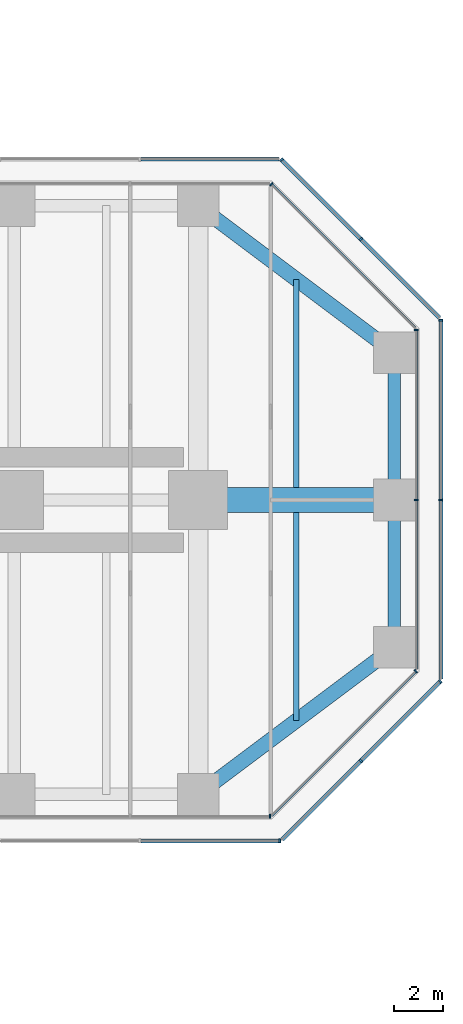
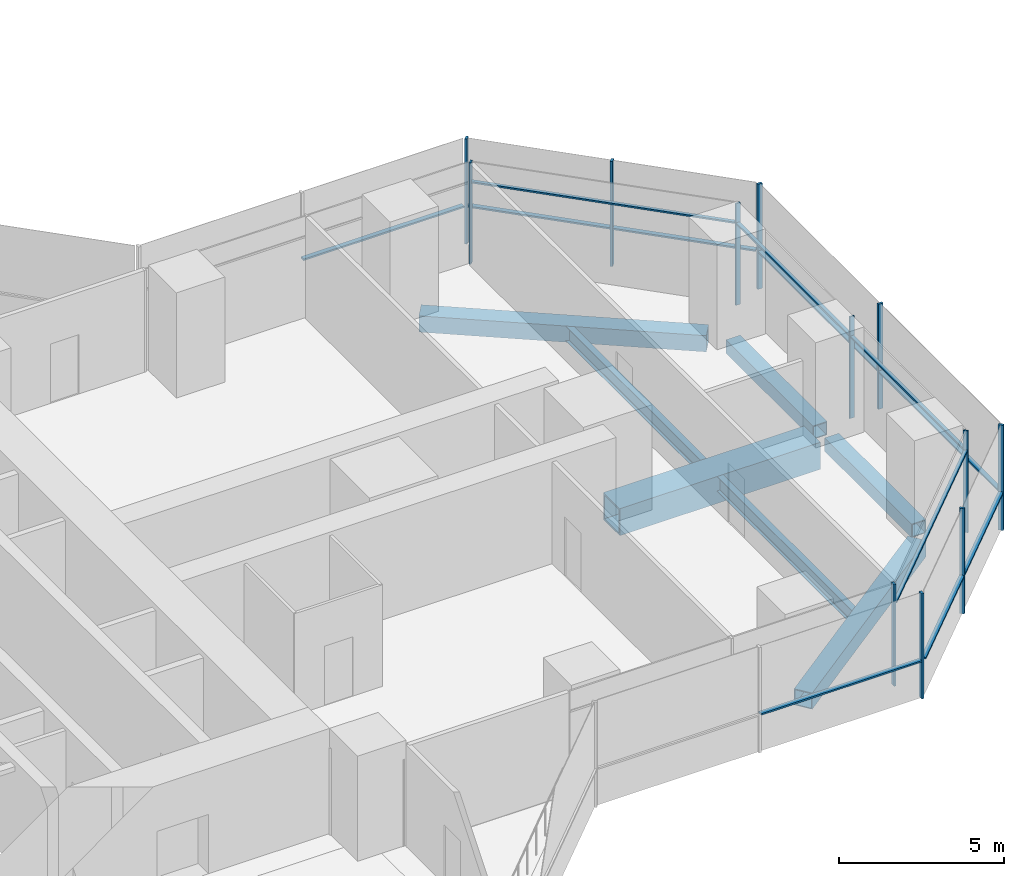
# One storey, part 12 of 22: 24 members, 7 beams, 9 elements without a shape of their own.
"""IFC4 building model written with IfcOpenShell, lengths in metres."""

from ifc_helpers import new_model, si_unit, direction, frame, origin, origin_2d, place, context, subcontext, project, spatial, rectangle, hollow_rectangle, i_section, extrude, material, material_profile, profile_set, type_object, element, aggregate, save


model = new_model("IFC4")

# Units and contexts
model_context = context("Model", 3, precision=1e-05, world=origin(), true_north=direction((0.0, 1.0)))
body_context = subcontext(model_context, "Body", "Model", "MODEL_VIEW")
ifc_project = project(units=[si_unit("LENGTHUNIT", "METRE"), si_unit("AREAUNIT", "SQUARE_METRE"), si_unit("VOLUMEUNIT", "CUBIC_METRE"), si_unit("PLANEANGLEUNIT", "RADIAN"), si_unit("MASSUNIT", "GRAM", prefix="KILO")], contexts=[model_context])

# Site, building, storey
site_placement = place(None, origin())
site = spatial("IfcSite", under=ifc_project, at=site_placement, CompositionType="ELEMENT")
building_placement = place(site_placement, origin())
building = spatial("IfcBuilding", under=site, at=building_placement, Name="Mizan Broadcast Tower", CompositionType="ELEMENT")
storey_placement = place(building_placement, frame((0.0, 0.0, 102.0)))
storey = spatial("IfcBuildingStorey", under=building, at=storey_placement, Name="L22", CompositionType="ELEMENT", Elevation=102.0)

# Beams
ifc_material_1 = material(Name="Steel S355", Category="steel")
ifc_material_profile_1 = material_profile(ifc_material_1, hollow_rectangle(XDim=0.5, YDim=0.5, WallThickness=0.030029296875, at=origin_2d()), Name="BOX 500x500x30")
ifc_profile_set_1 = profile_set([ifc_material_profile_1], Name="Steel S355")
beam_type_1 = type_object("IfcBeamType", Name="EDGE BEAM BOX 500x500x30", PredefinedType="SPANDREL", material=ifc_profile_set_1)
for number, where, z_axis, x_axis, name in (
    (1, (35.0, -5.639892578125, -0.3798828125), (0.0, 1.0, 0.0), (-1.0, 0.0, 0.0), "Edge beam BOX 500x500x30 L22 east arm"),
    (2, (35.0, 5.639892578125, -0.3798828125), (0.0, -1.0, 0.0), (1.0, 0.0, 0.0), "Edge beam BOX 500x500x30 L22 east arm"),
):
    element("IfcBeam", number, at=place(storey_placement, frame(where, z_axis=z_axis, x_axis=x_axis)), inside=storey, type_object=beam_type_1, Name=name, PredefinedType="SPANDREL", context=body_context, shape_type="SweptSolid", body=[
        extrude(hollow_rectangle(XDim=0.5, YDim=0.5, WallThickness=0.030029296875, at=origin_2d()), origin(), (0.0, 0.0, 1.0), 5.27978515625),
    ])
ifc_material_2 = material(Name="Steel S355", Category="steel")
ifc_material_profile_2 = material_profile(ifc_material_2, hollow_rectangle(XDim=0.60009765625, YDim=0.60009765625, WallThickness=0.030029296875, at=origin_2d()), Name="BOX 600x600x30")
ifc_profile_set_2 = profile_set([ifc_material_profile_2], Name="Steel S355")
beam_type_2 = type_object("IfcBeamType", Name="EDGE BEAM BOX 600x600x30", PredefinedType="SPANDREL", material=ifc_profile_set_2)
for number, where, z_axis, x_axis, name in (
    (3, (27.47998046875, -11.639892578125, -0.429931640625), (0.800013316712, 0.599982243973, 0.0), (-0.599982243973, 0.800013316712, 0.0), "Edge beam BOX 600x600x30 L22 east arm"),
    (4, (27.47998046875, 11.639892578125, -0.429931640625), (0.800013316712, -0.599982243973, 0.0), (0.599982243973, 0.800013316712, 0.0), "Edge beam BOX 600x600x30 L22 east arm"),
):
    element("IfcBeam", number, at=place(storey_placement, frame(where, z_axis=z_axis, x_axis=x_axis)), inside=storey, type_object=beam_type_2, Name=name, PredefinedType="SPANDREL", context=body_context, shape_type="SweptSolid", body=[
        extrude(hollow_rectangle(XDim=0.60009765625, YDim=0.60009765625, WallThickness=0.030029296875, at=origin_2d()), origin(), (0.0, 0.0, 1.0), 8.7998046875),
    ])
ifc_material_3 = material(Name="Steel S460", Category="steel")
ifc_material_profile_3 = material_profile(ifc_material_3, hollow_rectangle(XDim=1.0, YDim=1.0, WallThickness=0.06005859375, at=origin_2d()), Name="BOX 1000x1000x60")
ifc_profile_set_3 = profile_set([ifc_material_profile_3], Name="Steel S460")
beam_type_3 = type_object("IfcBeamType", Name="GIRDER BOX 1000x1000x60", PredefinedType="BEAM", material=ifc_profile_set_3)
beam_placement = place(storey_placement, frame((27.47998046875, 0.0, -0.6298828125), z_axis=(1.0, 0.0, 0.0), x_axis=(0.0, 1.0, 0.0)))
element("IfcBeam", 5, at=beam_placement, inside=storey, type_object=beam_type_3, Name="Girder BOX 1000x1000x60 L22 east arm", PredefinedType="BEAM", context=body_context, shape_type="SweptSolid", body=[
    extrude(hollow_rectangle(XDim=1.0, YDim=1.0, WallThickness=0.06005859375, at=origin_2d()), origin(), (0.0, 0.0, 1.0), 7.0400390625),
])

# Curtain wall, member
ifc_material_4 = material(Name="Aluminium framed glazing", Category="aluminium")
curtain_wall_type_1 = type_object("IfcCurtainWallType", Name="INNER SKIN LOW ZONE", PredefinedType="USERDEFINED", material=ifc_material_4)
curtain_wall_1_placement = place(storey_placement, origin())
curtain_wall_1 = element("IfcCurtainWall", 6, at=curtain_wall_1_placement, inside=storey, type_object=curtain_wall_type_1, Name="Inner skin low zone L22 E side", ObjectType="INNER SKIN LOW ZONE", PredefinedType="USERDEFINED")
ifc_material_5 = material(Name="Aluminium, pale anodised", Category="aluminium")
ifc_material_profile_4 = material_profile(ifc_material_5, rectangle(XDim=0.159912109375, YDim=0.06005859375, at=origin_2d()), Name="MULLION 160x60")
ifc_profile_set_4 = profile_set([ifc_material_profile_4], Name="Aluminium, pale anodised")
member_type_1 = type_object("IfcMemberType", Name="INNER SKIN MULLION 60x160", PredefinedType="MULLION", material=ifc_profile_set_4)
member_1_placement = place(storey_placement, frame((29.928466796875, -12.89990234375, 0.0), z_axis=(0.0, 0.0, 1.0), x_axis=(0.0, 1.0, 0.0)))
member_1 = element("IfcMember", 7, at=member_1_placement, type_object=member_type_1, Name="Inner skin low zone L22 E side mullion 3", PredefinedType="MULLION", context=body_context, shape_type="SweptSolid", body=[
    extrude(rectangle(XDim=0.159912109375, YDim=0.06005859375, at=origin_2d()), origin(), (0.0, 0.0, 1.0), 3.77001953125),
])
aggregate(curtain_wall_1, [member_1])

curtain_wall_2_placement = place(storey_placement, origin())
curtain_wall_2 = element("IfcCurtainWall", 8, at=curtain_wall_2_placement, inside=storey, type_object=curtain_wall_type_1, Name="Inner skin low zone L22 E chamfer", ObjectType="INNER SKIN LOW ZONE", PredefinedType="USERDEFINED")
member_2_placement = place(storey_placement, frame((35.87890625, -6.979736328125, 0.0), z_axis=(0.0, 0.0, 1.0), x_axis=(-0.707106781187, 0.707106781187, 0.0)))
member_2 = element("IfcMember", 9, at=member_2_placement, type_object=member_type_1, Name="Inner skin low zone L22 E chamfer mullion 2", PredefinedType="MULLION", context=body_context, shape_type="SweptSolid", body=[
    extrude(rectangle(XDim=0.159912109375, YDim=0.06005859375, at=origin_2d()), origin(), (0.0, 0.0, 1.0), 3.77001953125),
])

# Curtain wall, members
curtain_wall_3_placement = place(storey_placement, origin())
curtain_wall_3 = element("IfcCurtainWall", 10, at=curtain_wall_3_placement, inside=storey, type_object=curtain_wall_type_1, Name="Inner skin low zone L22 E end", ObjectType="INNER SKIN LOW ZONE", PredefinedType="USERDEFINED")
member_3_placement = place(storey_placement, frame((35.89990234375, 0.0, 0.0), z_axis=(0.0, 0.0, 1.0), x_axis=(-1.0, 0.0, 0.0)))
member_3 = element("IfcMember", 11, at=member_3_placement, type_object=member_type_1, Name="Inner skin low zone L22 E end mullion 2", PredefinedType="MULLION", context=body_context, shape_type="SweptSolid", body=[
    extrude(rectangle(XDim=0.159912109375, YDim=0.06005859375, at=origin_2d()), origin(), (0.0, 0.0, 1.0), 3.77001953125),
])
member_4_placement = place(storey_placement, frame((35.89990234375, 6.928466796875, 0.0), z_axis=(0.0, 0.0, 1.0), x_axis=(-1.0, 0.0, 0.0)))
member_4 = element("IfcMember", 12, at=member_4_placement, type_object=member_type_1, Name="Inner skin low zone L22 E end mullion 3", PredefinedType="MULLION", context=body_context, shape_type="SweptSolid", body=[
    extrude(rectangle(XDim=0.159912109375, YDim=0.06005859375, at=origin_2d()), origin(), (0.0, 0.0, 1.0), 3.77001953125),
])

# Curtain wall, member
curtain_wall_4_placement = place(storey_placement, origin())
curtain_wall_4 = element("IfcCurtainWall", 13, at=curtain_wall_4_placement, inside=storey, type_object=curtain_wall_type_1, Name="Inner skin low zone L22 E chamfer", ObjectType="INNER SKIN LOW ZONE", PredefinedType="USERDEFINED")
member_5_placement = place(storey_placement, frame((29.979736328125, 12.87890625, 0.0), z_axis=(0.0, 0.0, 1.0), x_axis=(-0.707106781187, -0.707106781187, 0.0)))
member_5 = element("IfcMember", 14, at=member_5_placement, type_object=member_type_1, Name="Inner skin low zone L22 E chamfer mullion 2", PredefinedType="MULLION", context=body_context, shape_type="SweptSolid", body=[
    extrude(rectangle(XDim=0.159912109375, YDim=0.06005859375, at=origin_2d()), origin(), (0.0, 0.0, 1.0), 3.77001953125),
])

# Member
ifc_material_6 = material(Name="Aluminium, pale anodised", Category="aluminium")
ifc_material_profile_5 = material_profile(ifc_material_6, rectangle(XDim=0.1201171875, YDim=0.06005859375, at=origin_2d()), Name="TRANSOM 120x60")
ifc_profile_set_5 = profile_set([ifc_material_profile_5], Name="Aluminium, pale anodised")
member_type_2 = type_object("IfcMemberType", Name="INNER SKIN TRANSOM 60x120", PredefinedType="USERDEFINED", material=ifc_profile_set_5)
member_6_placement = place(storey_placement, frame((30.0009765625, -12.857666015625, 3.030029296875), z_axis=(0.707106781187, 0.707106781187, 0.0), x_axis=(-0.707106781187, 0.707106781187, 0.0)))
member_6 = element("IfcMember", 15, at=member_6_placement, type_object=member_type_2, Name="Inner skin low zone L22 E chamfer transom 1.1", ObjectType="TRANSOM", PredefinedType="USERDEFINED", context=body_context, shape_type="SweptSolid", body=[
    extrude(rectangle(XDim=0.1201171875, YDim=0.06005859375, at=origin_2d()), origin(), (0.0, 0.0, 1.0), 8.28271484375),
])

aggregate(curtain_wall_2, [member_2, member_6])

member_7_placement = place(storey_placement, frame((35.89990234375, -6.898681640625, 3.030029296875), z_axis=(0.0, 1.0, 0.0), x_axis=(-1.0, 0.0, 0.0)))
member_7 = element("IfcMember", 16, at=member_7_placement, type_object=member_type_2, Name="Inner skin low zone L22 E end transom 1.1", ObjectType="TRANSOM", PredefinedType="USERDEFINED", context=body_context, shape_type="SweptSolid", body=[
    extrude(rectangle(XDim=0.1201171875, YDim=0.06005859375, at=origin_2d()), origin(), (0.0, 0.0, 1.0), 6.86865234375),
])

member_8_placement = place(storey_placement, frame((35.89990234375, 0.030029296875, 3.030029296875), z_axis=(0.0, 1.0, 0.0), x_axis=(-1.0, 0.0, 0.0)))
member_8 = element("IfcMember", 17, at=member_8_placement, type_object=member_type_2, Name="Inner skin low zone L22 E end transom 2.1", ObjectType="TRANSOM", PredefinedType="USERDEFINED", context=body_context, shape_type="SweptSolid", body=[
    extrude(rectangle(XDim=0.1201171875, YDim=0.06005859375, at=origin_2d()), origin(), (0.0, 0.0, 1.0), 6.86865234375),
])

aggregate(curtain_wall_3, [member_3, member_4, member_7, member_8])

member_9_placement = place(storey_placement, frame((35.857666015625, 7.0009765625, 3.030029296875), z_axis=(-0.707106781187, 0.707106781187, 0.0), x_axis=(-0.707106781187, -0.707106781187, 0.0)))
member_9 = element("IfcMember", 18, at=member_9_placement, type_object=member_type_2, Name="Inner skin low zone L22 E chamfer transom 1.1", ObjectType="TRANSOM", PredefinedType="USERDEFINED", context=body_context, shape_type="SweptSolid", body=[
    extrude(rectangle(XDim=0.1201171875, YDim=0.06005859375, at=origin_2d()), origin(), (0.0, 0.0, 1.0), 8.28271484375),
])

aggregate(curtain_wall_4, [member_5, member_9])

# Curtain wall, members
ifc_material_7 = material(Name="Aluminium framed glazing", Category="aluminium")
curtain_wall_type_2 = type_object("IfcCurtainWallType", Name="OUTER SKIN", PredefinedType="USERDEFINED", material=ifc_material_7)
curtain_wall_5_placement = place(storey_placement, origin())
curtain_wall_5 = element("IfcCurtainWall", 19, at=curtain_wall_5_placement, inside=storey, type_object=curtain_wall_type_2, Name="Outer skin L22 E chamfer", ObjectType="OUTER SKIN", PredefinedType="USERDEFINED")
ifc_material_8 = material(Name="Aluminium, pale anodised", Category="aluminium")
ifc_material_profile_6 = material_profile(ifc_material_8, rectangle(XDim=0.159912109375, YDim=0.080078125, at=origin_2d()), Name="MULLION 160x80")
ifc_profile_set_6 = profile_set([ifc_material_profile_6], Name="Aluminium, pale anodised")
member_type_3 = type_object("IfcMemberType", Name="OUTER SKIN MULLION 80x160", PredefinedType="MULLION", material=ifc_profile_set_6)
member_10_placement = place(storey_placement, frame((33.636474609375, -10.636474609375, 0.0), z_axis=(0.0, 0.0, 1.0), x_axis=(-0.707106781187, 0.707106781187, 0.0)))
member_10 = element("IfcMember", 20, at=member_10_placement, type_object=member_type_3, Name="Outer skin L22 E chamfer mullion 2", PredefinedType="MULLION", context=body_context, shape_type="SweptSolid", body=[
    extrude(rectangle(XDim=0.159912109375, YDim=0.080078125, at=origin_2d()), origin(), (0.0, 0.0, 1.0), 3.89990234375),
])
member_11_placement = place(storey_placement, frame((36.871826171875, -7.401123046875, 0.0), z_axis=(0.0, 0.0, 1.0), x_axis=(-0.707106781187, 0.707106781187, 0.0)))
member_11 = element("IfcMember", 21, at=member_11_placement, type_object=member_type_3, Name="Outer skin L22 E chamfer mullion 3", PredefinedType="MULLION", context=body_context, shape_type="SweptSolid", body=[
    extrude(rectangle(XDim=0.159912109375, YDim=0.080078125, at=origin_2d()), origin(), (0.0, 0.0, 1.0), 3.89990234375),
])

curtain_wall_6_placement = place(storey_placement, origin())
curtain_wall_6 = element("IfcCurtainWall", 22, at=curtain_wall_6_placement, inside=storey, type_object=curtain_wall_type_2, Name="Outer skin L22 E end", ObjectType="OUTER SKIN", PredefinedType="USERDEFINED")
member_12_placement = place(storey_placement, frame((36.89990234375, 0.0, 0.0), z_axis=(0.0, 0.0, 1.0), x_axis=(-1.0, 0.0, 0.0)))
member_12 = element("IfcMember", 23, at=member_12_placement, type_object=member_type_3, Name="Outer skin L22 E end mullion 2", PredefinedType="MULLION", context=body_context, shape_type="SweptSolid", body=[
    extrude(rectangle(XDim=0.159912109375, YDim=0.080078125, at=origin_2d()), origin(), (0.0, 0.0, 1.0), 3.89990234375),
])
member_13_placement = place(storey_placement, frame((36.89990234375, 7.332763671875, 0.0), z_axis=(0.0, 0.0, 1.0), x_axis=(-1.0, 0.0, 0.0)))
member_13 = element("IfcMember", 24, at=member_13_placement, type_object=member_type_3, Name="Outer skin L22 E end mullion 3", PredefinedType="MULLION", context=body_context, shape_type="SweptSolid", body=[
    extrude(rectangle(XDim=0.159912109375, YDim=0.080078125, at=origin_2d()), origin(), (0.0, 0.0, 1.0), 3.89990234375),
])

curtain_wall_7_placement = place(storey_placement, origin())
curtain_wall_7 = element("IfcCurtainWall", 25, at=curtain_wall_7_placement, inside=storey, type_object=curtain_wall_type_2, Name="Outer skin L22 E chamfer", ObjectType="OUTER SKIN", PredefinedType="USERDEFINED")
member_14_placement = place(storey_placement, frame((33.636474609375, 10.636474609375, 0.0), z_axis=(0.0, 0.0, 1.0), x_axis=(-0.707106781187, -0.707106781187, 0.0)))
member_14 = element("IfcMember", 26, at=member_14_placement, type_object=member_type_3, Name="Outer skin L22 E chamfer mullion 2", PredefinedType="MULLION", context=body_context, shape_type="SweptSolid", body=[
    extrude(rectangle(XDim=0.159912109375, YDim=0.080078125, at=origin_2d()), origin(), (0.0, 0.0, 1.0), 3.89990234375),
])
member_15_placement = place(storey_placement, frame((30.401123046875, 13.871826171875, 0.0), z_axis=(0.0, 0.0, 1.0), x_axis=(-0.707106781187, -0.707106781187, 0.0)))
member_15 = element("IfcMember", 27, at=member_15_placement, type_object=member_type_3, Name="Outer skin L22 E chamfer mullion 3", PredefinedType="MULLION", context=body_context, shape_type="SweptSolid", body=[
    extrude(rectangle(XDim=0.159912109375, YDim=0.080078125, at=origin_2d()), origin(), (0.0, 0.0, 1.0), 3.89990234375),
])

# Curtain wall, member
curtain_wall_8_placement = place(storey_placement, origin())
curtain_wall_8 = element("IfcCurtainWall", 28, at=curtain_wall_8_placement, inside=storey, type_object=curtain_wall_type_2, Name="Outer skin L22 E side", ObjectType="OUTER SKIN", PredefinedType="USERDEFINED")
member_16_placement = place(storey_placement, frame((30.332763671875, -13.89990234375, 0.0), z_axis=(0.0, 0.0, 1.0), x_axis=(0.0, 1.0, 0.0)))
member_16 = element("IfcMember", 29, at=member_16_placement, type_object=member_type_3, Name="Outer skin L22 E side mullion 3", PredefinedType="MULLION", context=body_context, shape_type="SweptSolid", body=[
    extrude(rectangle(XDim=0.159912109375, YDim=0.080078125, at=origin_2d()), origin(), (0.0, 0.0, 1.0), 3.89990234375),
])

# Member
ifc_material_9 = material(Name="Aluminium, pale anodised", Category="aluminium")
ifc_material_profile_7 = material_profile(ifc_material_9, rectangle(XDim=0.159912109375, YDim=0.06005859375, at=origin_2d()), Name="TRANSOM 160x60")
ifc_profile_set_7 = profile_set([ifc_material_profile_7], Name="Aluminium, pale anodised")
member_type_4 = type_object("IfcMemberType", Name="OUTER SKIN TRANSOM 60x160", PredefinedType="USERDEFINED", material=ifc_profile_set_7)
member_17_placement = place(storey_placement, frame((30.429443359375, -13.843505859375, 1.39990234375), z_axis=(0.707106781187, 0.707106781187, 0.0), x_axis=(-0.707106781187, 0.707106781187, 0.0)))
member_17 = element("IfcMember", 30, at=member_17_placement, type_object=member_type_4, Name="Outer skin L22 E chamfer transom 1.1", ObjectType="TRANSOM", PredefinedType="USERDEFINED", context=body_context, shape_type="SweptSolid", body=[
    extrude(rectangle(XDim=0.159912109375, YDim=0.06005859375, at=origin_2d()), origin(), (0.0, 0.0, 1.0), 4.495361328125),
])

member_18_placement = place(storey_placement, frame((33.664794921875, -10.608154296875, 1.39990234375), z_axis=(0.707106781187, 0.707106781187, 0.0), x_axis=(-0.707106781187, 0.707106781187, 0.0)))
member_18 = element("IfcMember", 31, at=member_18_placement, type_object=member_type_4, Name="Outer skin L22 E chamfer transom 2.1", ObjectType="TRANSOM", PredefinedType="USERDEFINED", context=body_context, shape_type="SweptSolid", body=[
    extrude(rectangle(XDim=0.159912109375, YDim=0.06005859375, at=origin_2d()), origin(), (0.0, 0.0, 1.0), 4.495361328125),
])

aggregate(curtain_wall_5, [member_10, member_11, member_17, member_18])

member_19_placement = place(storey_placement, frame((36.89990234375, -7.292724609375, 1.39990234375), z_axis=(0.0, 1.0, 0.0), x_axis=(-1.0, 0.0, 0.0)))
member_19 = element("IfcMember", 32, at=member_19_placement, type_object=member_type_4, Name="Outer skin L22 E end transom 1.1", ObjectType="TRANSOM", PredefinedType="USERDEFINED", context=body_context, shape_type="SweptSolid", body=[
    extrude(rectangle(XDim=0.159912109375, YDim=0.06005859375, at=origin_2d()), origin(), (0.0, 0.0, 1.0), 7.252685546875),
])

member_20_placement = place(storey_placement, frame((36.89990234375, 0.0400390625, 1.39990234375), z_axis=(0.0, 1.0, 0.0), x_axis=(-1.0, 0.0, 0.0)))
member_20 = element("IfcMember", 33, at=member_20_placement, type_object=member_type_4, Name="Outer skin L22 E end transom 2.1", ObjectType="TRANSOM", PredefinedType="USERDEFINED", context=body_context, shape_type="SweptSolid", body=[
    extrude(rectangle(XDim=0.159912109375, YDim=0.06005859375, at=origin_2d()), origin(), (0.0, 0.0, 1.0), 7.252685546875),
])

aggregate(curtain_wall_6, [member_12, member_13, member_19, member_20])

member_21_placement = place(storey_placement, frame((36.843505859375, 7.429443359375, 1.39990234375), z_axis=(-0.707106781187, 0.707106781187, 0.0), x_axis=(-0.707106781187, -0.707106781187, 0.0)))
member_21 = element("IfcMember", 34, at=member_21_placement, type_object=member_type_4, Name="Outer skin L22 E chamfer transom 1.1", ObjectType="TRANSOM", PredefinedType="USERDEFINED", context=body_context, shape_type="SweptSolid", body=[
    extrude(rectangle(XDim=0.159912109375, YDim=0.06005859375, at=origin_2d()), origin(), (0.0, 0.0, 1.0), 4.495361328125),
])

member_22_placement = place(storey_placement, frame((33.608154296875, 10.664794921875, 1.39990234375), z_axis=(-0.707106781187, 0.707106781187, 0.0), x_axis=(-0.707106781187, -0.707106781187, 0.0)))
member_22 = element("IfcMember", 35, at=member_22_placement, type_object=member_type_4, Name="Outer skin L22 E chamfer transom 2.1", ObjectType="TRANSOM", PredefinedType="USERDEFINED", context=body_context, shape_type="SweptSolid", body=[
    extrude(rectangle(XDim=0.159912109375, YDim=0.06005859375, at=origin_2d()), origin(), (0.0, 0.0, 1.0), 4.495361328125),
])

aggregate(curtain_wall_7, [member_14, member_15, member_21, member_22])

# Curtain wall, member
curtain_wall_9_placement = place(storey_placement, origin())
curtain_wall_9 = element("IfcCurtainWall", 36, at=curtain_wall_9_placement, inside=storey, type_object=curtain_wall_type_2, Name="Outer skin L22 E side", ObjectType="OUTER SKIN", PredefinedType="USERDEFINED")
member_23_placement = place(storey_placement, frame((30.292724609375, 13.89990234375, 1.39990234375), z_axis=(-1.0, 0.0, 0.0), x_axis=(0.0, -1.0, 0.0)))
member_23 = element("IfcMember", 37, at=member_23_placement, type_object=member_type_4, Name="Outer skin L22 E side transom 1.1", ObjectType="TRANSOM", PredefinedType="USERDEFINED", context=body_context, shape_type="SweptSolid", body=[
    extrude(rectangle(XDim=0.159912109375, YDim=0.06005859375, at=origin_2d()), origin(), (0.0, 0.0, 1.0), 5.6298828125),
])
aggregate(curtain_wall_9, [member_23])

# Member
member_24_placement = place(storey_placement, frame((24.662841796875, -13.89990234375, 1.39990234375), z_axis=(1.0, 0.0, 0.0), x_axis=(0.0, 1.0, 0.0)))
member_24 = element("IfcMember", 38, at=member_24_placement, type_object=member_type_4, Name="Outer skin L22 E side transom 2.1", ObjectType="TRANSOM", PredefinedType="USERDEFINED", context=body_context, shape_type="SweptSolid", body=[
    extrude(rectangle(XDim=0.159912109375, YDim=0.06005859375, at=origin_2d()), origin(), (0.0, 0.0, 1.0), 5.6298828125),
])

aggregate(curtain_wall_8, [member_16, member_24])

# Beams
ifc_material_10 = material(Name="Steel S355", Category="steel")
ifc_material_profile_8 = material_profile(ifc_material_10, i_section(OverallWidth=0.2099609375, OverallDepth=0.550048828125, WebThickness=0.010986328125, FlangeThickness=0.01708984375, FilletRadius=0.02392578125, at=origin_2d()), Name="IPE 550")
ifc_profile_set_8 = profile_set([ifc_material_profile_8], Name="Steel S355")
beam_type_4 = type_object("IfcBeamType", Name="SECONDARY BEAM IPE 550", PredefinedType="JOIST", material=ifc_profile_set_8)
for number, where, z_axis, x_axis, name in (
    (39, (31.0, -9.0, -0.405029296875), (0.0, 1.0, 0.0), (-1.0, 0.0, 0.0), "Secondary beam IPE 550 L22 east arm"),
    (40, (31.0, 9.0, -0.405029296875), (0.0, -1.0, 0.0), (1.0, 0.0, 0.0), "Secondary beam IPE 550 L22 east arm"),
):
    element("IfcBeam", number, at=place(storey_placement, frame(where, z_axis=z_axis, x_axis=x_axis)), inside=storey, type_object=beam_type_4, Name=name, PredefinedType="JOIST", context=body_context, shape_type="SweptSolid", body=[
        extrude(i_section(OverallWidth=0.2099609375, OverallDepth=0.550048828125, WebThickness=0.010986328125, FlangeThickness=0.01708984375, FilletRadius=0.02392578125, at=origin_2d()), origin(), (0.0, 0.0, 1.0), 8.5),
    ])

save(model, "model.ifc")
